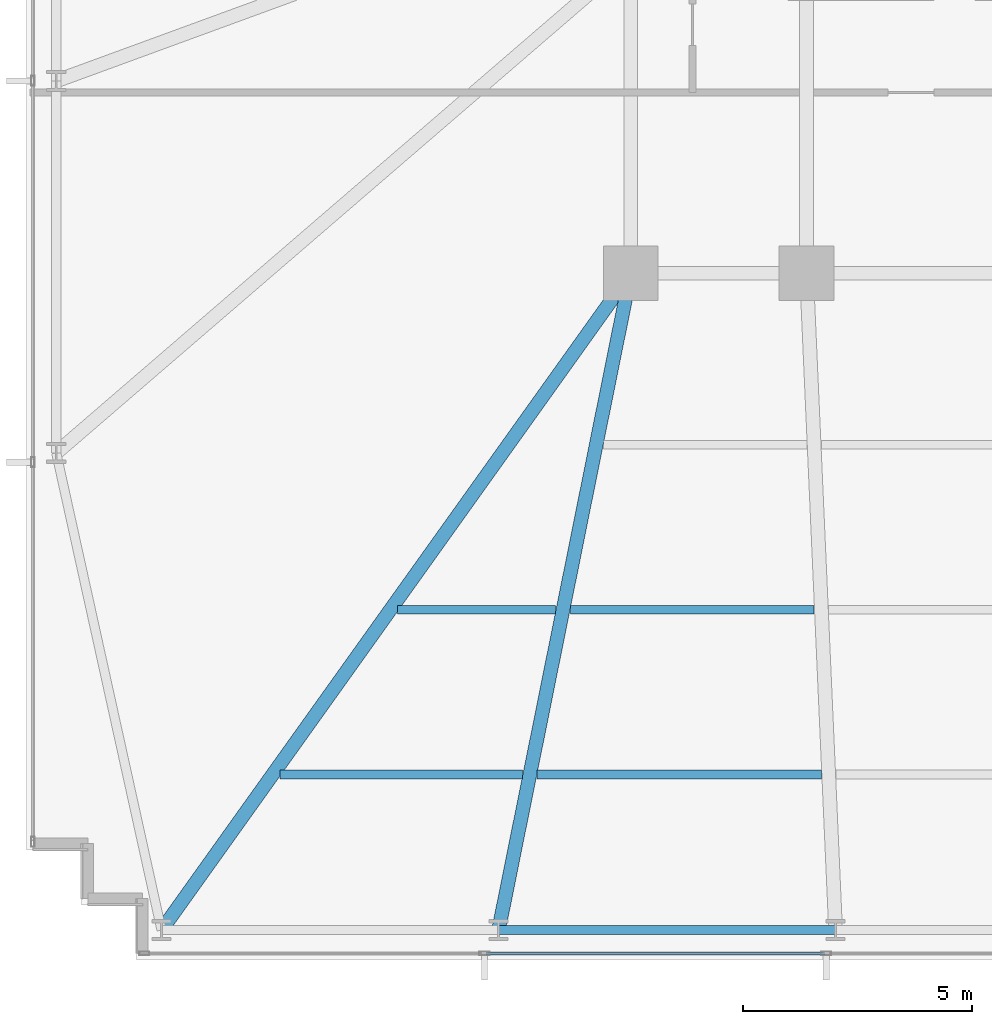
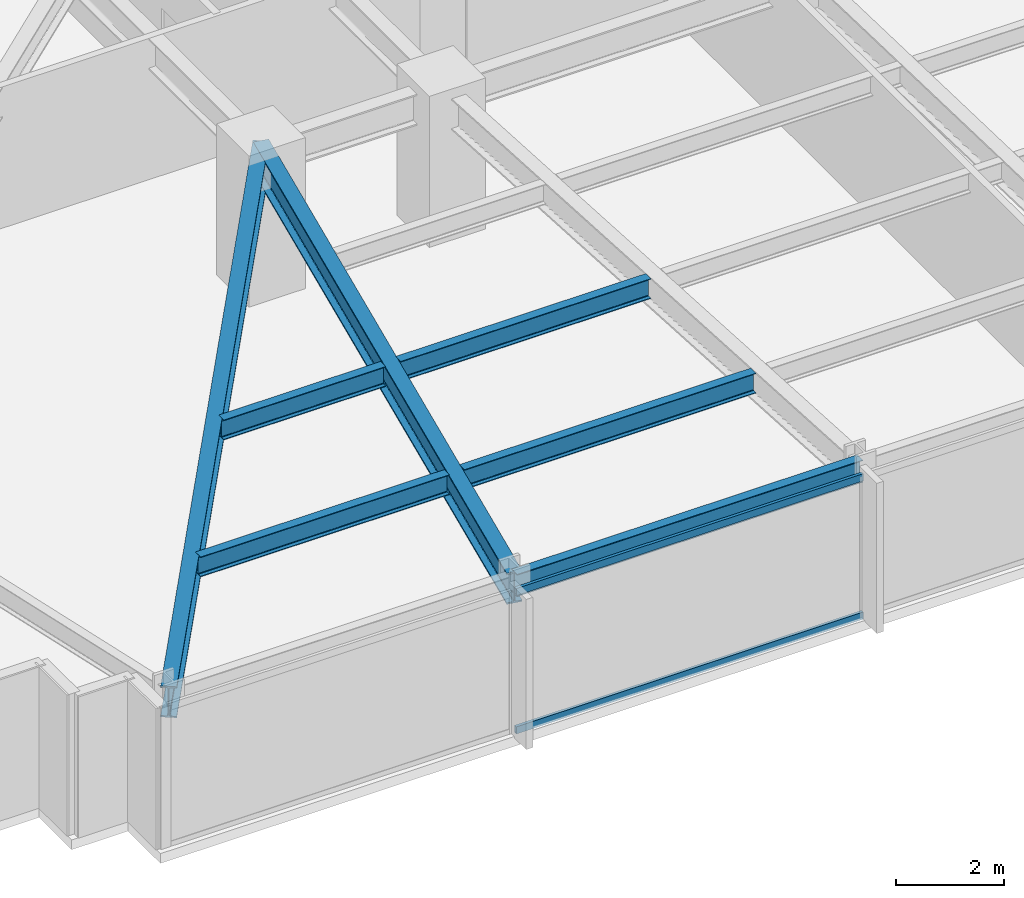
# One storey, part 3 of 32: 7 beams, 2 members, 1 element without a shape of its own.
"""IFC4 building model written with IfcOpenShell, lengths in metres."""

import ifcopenshell
import ifcopenshell.guid

model = None  # the IFC model being written
_history = None  # IfcOwnerHistory: only IFC2X3 demands one
_inside = {}  # id of a spatial element -> (the spatial element, [elements in it])
_under = {}  # id of a project, library or spatial element -> (it, [spatial elements below it])
_declared = {}  # id of a project -> (the project, [libraries it declares])
_typed = {}  # id of a type object -> (the type object, [elements of that type])
_made_of = {}  # id of a material, layer set ... -> (it, [elements and type objects made of it])


def new_model(schema):
    """Start an empty IFC model of exactly this schema.

    Asked for "IFC4X3", IfcOpenShell would pick the latest addendum, in which some entities
    have other attributes; the version numbers below select the first issue.
    IFC2X3 requires an IfcOwnerHistory on every rooted entity: one is made here for all.
    """
    global model, _history
    if schema == "IFC4X3":
        model = ifcopenshell.file(schema_version=(4, 3, 0, 0))
    else:
        model = ifcopenshell.file(schema=schema)
    _inside.clear()
    _under.clear()
    _declared.clear()
    _typed.clear()
    _made_of.clear()
    _history = None
    if model.schema == "IFC2X3":
        org = make("IfcOrganization", Name="unknown")
        user = make(
            "IfcPersonAndOrganization",
            ThePerson=make("IfcPerson", FamilyName="unknown"),
            TheOrganization=org,
        )
        app = make(
            "IfcApplication",
            ApplicationDeveloper=org,
            Version="unknown",
            ApplicationFullName="unknown",
            ApplicationIdentifier="unknown",
        )
        _history = make(
            "IfcOwnerHistory",
            OwningUser=user,
            OwningApplication=app,
            ChangeAction="ADDED",
            CreationDate=0,
        )
    return model


def make(cls, **values):
    """One entity of the class cls with the attributes given. An attribute that is None is left unset."""
    return model.create_entity(
        cls, **{name: value for name, value in values.items() if value is not None}
    )


def rooted(cls, **values):
    """An entity with a GlobalId (a new one), such as an element, a storey or a relation."""
    return make(cls, GlobalId=ifcopenshell.guid.new(), OwnerHistory=_history, **values)


def si_unit(unit_type, name, prefix=None):
    """IfcSIUnit, for example si_unit("LENGTHUNIT", "METRE", prefix="MILLI")."""
    return make("IfcSIUnit", UnitType=unit_type, Prefix=prefix, Name=name)


def assignment(units):
    """IfcUnitAssignment: the units of a project."""
    return None if units is None else make("IfcUnitAssignment", Units=units)


def point(xyz):
    """IfcCartesianPoint."""
    return None if xyz is None else make("IfcCartesianPoint", Coordinates=xyz)


def direction(xyz):
    """IfcDirection."""
    return None if xyz is None else make("IfcDirection", DirectionRatios=xyz)


def frame(location, z_axis=None, x_axis=None):
    """IfcAxis2Placement3D, a coordinate frame: its origin and axes. An axis left out is left unset."""
    return make(
        "IfcAxis2Placement3D",
        Location=point(location),
        Axis=direction(z_axis),
        RefDirection=direction(x_axis),
    )


def frame_2d(location, x_axis=None):
    """IfcAxis2Placement2D, a coordinate frame in the plane: its origin and x axis."""
    return make(
        "IfcAxis2Placement2D", Location=point(location), RefDirection=direction(x_axis)
    )


def origin():
    """The frame at (0, 0, 0) with its axes left unset."""
    return frame((0.0, 0.0, 0.0))


def origin_2d():
    """The frame at (0, 0) in the plane with its x axis left unset."""
    return frame_2d((0.0, 0.0))


def place(relative_to, where):
    """IfcLocalPlacement: puts the frame where relative to a parent placement (None: the world)."""
    return make(
        "IfcLocalPlacement", PlacementRelTo=relative_to, RelativePlacement=where
    )


def context(
    kind, dimensions, precision=None, world=None, true_north=None, identifier=None
):
    """IfcGeometricRepresentationContext, for example the 3D "Model" context."""
    return make(
        "IfcGeometricRepresentationContext",
        ContextIdentifier=identifier,
        ContextType=kind,
        CoordinateSpaceDimension=dimensions,
        Precision=precision,
        WorldCoordinateSystem=world,
        TrueNorth=true_north,
    )


def subcontext(parent, identifier, kind, view, scale=None):
    """IfcGeometricRepresentationSubContext, for example "Body" below "Model"."""
    return make(
        "IfcGeometricRepresentationSubContext",
        ContextIdentifier=identifier,
        ContextType=kind,
        ParentContext=parent,
        TargetScale=scale,
        TargetView=view,
    )


def project(units=None, contexts=None):
    """IfcProject with its units and contexts."""
    return rooted(
        "IfcProject",
        Name="project",
        RepresentationContexts=contexts,
        UnitsInContext=assignment(units),
    )


def spatial(cls, under=None, at=None, **own):
    """A site, building, storey or space (cls), placed at a placement, below another one or the project."""
    s = rooted(cls, ObjectPlacement=at, **own)
    if under is not None:
        _under.setdefault(under.id(), (under, []))[1].append(s)
    return s


def profile(cls, at=None, kind="AREA", **sizes):
    """A parametric profile (cls). Its sizes go by their IFC names, for example OverallWidth=200.0."""
    return make(cls, ProfileType=kind, Position=at, **sizes)


def hollow_rectangle(**sizes):
    """IfcRectangleHollowProfileDef."""
    return profile("IfcRectangleHollowProfileDef", **sizes)


def i_section(**sizes):
    """IfcIShapeProfileDef."""
    return profile("IfcIShapeProfileDef", **sizes)


def extrude(swept, where, along, depth):
    """IfcExtrudedAreaSolid: the profile swept, set in the frame where, extruded along a direction by depth."""
    return make(
        "IfcExtrudedAreaSolid",
        SweptArea=swept,
        Position=where,
        ExtrudedDirection=direction(along),
        Depth=depth,
    )


def shape(context_of_items, identifier, shape_type, items):
    """IfcShapeRepresentation: the items that make up one representation, for example the "Body"."""
    return make(
        "IfcShapeRepresentation",
        ContextOfItems=context_of_items,
        RepresentationIdentifier=identifier,
        RepresentationType=shape_type,
        Items=items,
    )


def material(Name=None, Category=None):
    """IfcMaterial."""
    return make("IfcMaterial", Name=Name, Category=Category)


def material_profile(
    of_material, cross_section, Name=None, Category=None, Priority=None
):
    """IfcMaterialProfile: a cross section and its material."""
    return make(
        "IfcMaterialProfile",
        Name=Name,
        Material=of_material,
        Profile=cross_section,
        Priority=Priority,
        Category=Category,
    )


def profile_set(profiles, Name=None, composite=None):
    """IfcMaterialProfileSet."""
    return make(
        "IfcMaterialProfileSet",
        Name=Name,
        MaterialProfiles=profiles,
        CompositeProfile=composite,
    )


def made_of(thing, what):
    """Note that an element or type object is made of a material, layer set ...; save() writes the relation."""
    if what is not None:
        _made_of.setdefault(what.id(), (what, []))[1].append(thing)
    return thing


def type_object(cls, material=None, **own):
    """A type object (cls), such as IfcWallType, which elements share."""
    return made_of(rooted(cls, **own), material)


def element(
    cls,
    number,
    at=None,
    inside=None,
    cuts=None,
    type_object=None,
    material=None,
    context=None,
    identifier="Body",
    shape_type=None,
    held_by="IfcProductDefinitionShape",
    body=None,
    shapes=None,
    **own,
):
    """One element of the class cls, such as IfcWall. Its Tag is "e" and its number.

    at: its placement. inside: the storey or other place that contains it. cuts: it is an
    opening in that element (IfcRelVoidsElement). A single representation is given by context,
    identifier, shape_type and body (its items); several are given by shapes. held_by: the class
    of the entity that holds the representations. save() writes the other relations.
    """
    e = rooted(cls, Tag="e%d" % number, ObjectPlacement=at, **own)
    if body is not None:
        shapes = [shape(context, identifier, shape_type, body)]
    if shapes is not None:
        e.Representation = make(held_by, Representations=shapes)
    if inside is not None:
        _inside.setdefault(inside.id(), (inside, []))[1].append(e)
    if cuts is not None:
        rooted(
            "IfcRelVoidsElement", RelatingBuildingElement=cuts, RelatedOpeningElement=e
        )
    if type_object is not None:
        _typed.setdefault(type_object.id(), (type_object, []))[1].append(e)
    return made_of(e, material)


def aggregate(whole, parts):
    """IfcRelAggregates: a whole, such as a stair, and the parts it consists of."""
    return rooted("IfcRelAggregates", RelatingObject=whole, RelatedObjects=parts)


def save(model, path):
    """Write the relations noted so far, then the file.

    IfcRelAggregates (storeys below a building ...), IfcRelContainedInSpatialStructure (elements
    in a storey), IfcRelDefinesByType, IfcRelAssociatesMaterial and IfcRelDeclares: one each for
    every whole, place, type object, material and project.
    """
    for whole, parts in _under.values():
        aggregate(whole, parts)
    for where, things in _inside.values():
        rooted(
            "IfcRelContainedInSpatialStructure",
            RelatedElements=things,
            RelatingStructure=where,
        )
    for kind, things in _typed.values():
        rooted("IfcRelDefinesByType", RelatedObjects=things, RelatingType=kind)
    for what, things in _made_of.values():
        rooted("IfcRelAssociatesMaterial", RelatedObjects=things, RelatingMaterial=what)
    for by, libraries in _declared.values():
        rooted("IfcRelDeclares", RelatingContext=by, RelatedDefinitions=libraries)
    model.write(path)


model = new_model("IFC4")

# Units and contexts
model_context = context("Model", 3, precision=1e-05, world=origin(), true_north=direction((0.0, 1.0)))
body_context = subcontext(model_context, "Body", "Model", "MODEL_VIEW")
ifc_project = project(units=[si_unit("LENGTHUNIT", "METRE"), si_unit("AREAUNIT", "SQUARE_METRE"), si_unit("VOLUMEUNIT", "CUBIC_METRE"), si_unit("PLANEANGLEUNIT", "RADIAN"), si_unit("MASSUNIT", "GRAM", prefix="KILO")], contexts=[model_context])

# Site, building, storey
site_placement = place(None, origin())
site = spatial("IfcSite", under=ifc_project, at=site_placement, CompositionType="ELEMENT")
building_placement = place(site_placement, origin())
building = spatial("IfcBuilding", under=site, at=building_placement, Name="Yelkora Congress Tower", CompositionType="ELEMENT")
storey_placement = place(building_placement, frame((0.0, 0.0, 67.800048828125)))
storey = spatial("IfcBuildingStorey", under=building, at=storey_placement, Name="L17", CompositionType="ELEMENT", Elevation=67.800048828125)

# Beams
ifc_material_1 = material(Name="Steel S355J2", Category="steel")
ifc_material_profile_1 = material_profile(ifc_material_1, i_section(OverallWidth=0.300048828125, OverallDepth=0.699951171875, WebThickness=0.01708984375, FlangeThickness=0.031982421875, FilletRadius=0.027099609375, at=origin_2d()), Name="HEB 700")
ifc_profile_set_1 = profile_set([ifc_material_profile_1], Name="Steel S355J2")
beam_type_1 = type_object("IfcBeamType", Name="BM-GIRD-HEB700", PredefinedType="BEAM", material=ifc_profile_set_1)
beam_1_placement = place(storey_placement, frame((8.949951171875, 10.85009765625, 2.829833984375), z_axis=(0.581242122521, 0.813730664906, 0.0), x_axis=(-0.813730664906, 0.581242122521, 0.0)))
element("IfcBeam", 1, at=beam_1_placement, inside=storey, type_object=beam_type_1, Name="L17 Primary Frame Girder S01", PredefinedType="BEAM", context=body_context, shape_type="SweptSolid", body=[
    extrude(i_section(OverallWidth=0.300048828125, OverallDepth=0.699951171875, WebThickness=0.01708984375, FlangeThickness=0.031982421875, FilletRadius=0.027099609375, at=origin_2d()), origin(), (0.0, 0.0, 1.0), 17.634765625),
])
beam_2_placement = place(storey_placement, frame((16.3125, 10.85009765625, 2.829833984375), z_axis=(0.197264295931, 0.980350344291, 0.0), x_axis=(-0.980350344291, 0.197264295931, 0.0)))
element("IfcBeam", 2, at=beam_2_placement, inside=storey, type_object=beam_type_1, Name="L17 Primary Frame Girder S02", PredefinedType="BEAM", context=body_context, shape_type="SweptSolid", body=[
    extrude(i_section(OverallWidth=0.300048828125, OverallDepth=0.699951171875, WebThickness=0.01708984375, FlangeThickness=0.031982421875, FilletRadius=0.027099609375, at=origin_2d()), origin(), (0.0, 0.0, 1.0), 14.637451171875),
])
ifc_material_profile_2 = material_profile(ifc_material_1, i_section(OverallWidth=0.18994140625, OverallDepth=0.449951171875, WebThickness=0.009521484375, FlangeThickness=0.0146484375, FilletRadius=0.02099609375, at=origin_2d()), Name="IPE 450")
ifc_profile_set_2 = profile_set([ifc_material_profile_2], Name="Steel S355J2")
beam_type_2 = type_object("IfcBeamType", Name="BM-JOIST-IPE450", PredefinedType="JOIST", material=ifc_profile_set_2)
beam_3_placement = place(storey_placement, frame((11.53857421875, 14.25, 2.954833984375), z_axis=(1.0, 0.0, 0.0), x_axis=(0.0, 1.0, 0.0)))
element("IfcBeam", 3, at=beam_3_placement, inside=storey, type_object=beam_type_2, Name="L17 Composite Floor Joist 1", PredefinedType="JOIST", context=body_context, shape_type="SweptSolid", body=[
    extrude(i_section(OverallWidth=0.18994140625, OverallDepth=0.449951171875, WebThickness=0.009521484375, FlangeThickness=0.0146484375, FilletRadius=0.02099609375, at=origin_2d()), origin(), (0.0, 0.0, 1.0), 5.298095703125),
])
beam_4_placement = place(storey_placement, frame((17.156494140625, 14.25, 2.954833984375), z_axis=(1.0, 0.0, 0.0), x_axis=(0.0, 1.0, 0.0)))
element("IfcBeam", 4, at=beam_4_placement, inside=storey, type_object=beam_type_2, Name="L17 Composite Floor Joist 2", PredefinedType="JOIST", context=body_context, shape_type="SweptSolid", body=[
    extrude(i_section(OverallWidth=0.18994140625, OverallDepth=0.449951171875, WebThickness=0.009521484375, FlangeThickness=0.0146484375, FilletRadius=0.02099609375, at=origin_2d()), origin(), (0.0, 0.0, 1.0), 6.2080078125),
])
beam_5_placement = place(storey_placement, frame((14.110107421875, 17.85009765625, 2.954833984375), z_axis=(1.0, 0.0, 0.0), x_axis=(0.0, 1.0, 0.0)))
element("IfcBeam", 5, at=beam_5_placement, inside=storey, type_object=beam_type_2, Name="L17 Composite Floor Joist 9", PredefinedType="JOIST", context=body_context, shape_type="SweptSolid", body=[
    extrude(i_section(OverallWidth=0.18994140625, OverallDepth=0.449951171875, WebThickness=0.009521484375, FlangeThickness=0.0146484375, FilletRadius=0.02099609375, at=origin_2d()), origin(), (0.0, 0.0, 1.0), 3.450927734375),
])
beam_6_placement = place(storey_placement, frame((17.881103515625, 17.85009765625, 2.954833984375), z_axis=(1.0, 0.0, 0.0), x_axis=(0.0, 1.0, 0.0)))
element("IfcBeam", 6, at=beam_6_placement, inside=storey, type_object=beam_type_2, Name="L17 Composite Floor Joist 10", PredefinedType="JOIST", context=body_context, shape_type="SweptSolid", body=[
    extrude(i_section(OverallWidth=0.18994140625, OverallDepth=0.449951171875, WebThickness=0.009521484375, FlangeThickness=0.0146484375, FilletRadius=0.02099609375, at=origin_2d()), origin(), (0.0, 0.0, 1.0), 5.323974609375),
])
ifc_material_profile_3 = material_profile(ifc_material_1, i_section(OverallWidth=0.199951171875, OverallDepth=0.5, WebThickness=0.01025390625, FlangeThickness=0.01611328125, FilletRadius=0.02099609375, at=origin_2d()), Name="IPE 500")
ifc_profile_set_3 = profile_set([ifc_material_profile_3], Name="Steel S355J2")
beam_type_3 = type_object("IfcBeamType", Name="BM-SPAN-IPE500", PredefinedType="SPANDREL", material=ifc_profile_set_3)
beam_7_placement = place(storey_placement, frame((16.3125, 10.85009765625, 2.929931640625), z_axis=(1.0, 0.0, 0.0), x_axis=(0.0, 1.0, 0.0)))
element("IfcBeam", 7, at=beam_7_placement, inside=storey, type_object=beam_type_3, Name="L17 Perimeter Beam 3", PredefinedType="SPANDREL", context=body_context, shape_type="SweptSolid", body=[
    extrude(i_section(OverallWidth=0.199951171875, OverallDepth=0.5, WebThickness=0.01025390625, FlangeThickness=0.01611328125, FilletRadius=0.02099609375, at=origin_2d()), origin(), (0.0, 0.0, 1.0), 7.362548828125),
])

# Curtain wall, members
ifc_material_2 = material(Name="Anodised aluminium and insulated glass", Category="aluminium")
curtain_wall_type = type_object("IfcCurtainWallType", Name="CW-SYS-B1", PredefinedType="NOTDEFINED", material=ifc_material_2)
curtain_wall_placement = place(storey_placement, origin())
curtain_wall = element("IfcCurtainWall", 8, at=curtain_wall_placement, inside=storey, type_object=curtain_wall_type, Name="L17 Unitised Curtain Wall 20", PredefinedType="NOTDEFINED")
ifc_material_3 = material(Name="Anodised aluminium 6063-T6", Category="aluminium")
ifc_material_profile_4 = material_profile(ifc_material_3, hollow_rectangle(XDim=0.06494140625, YDim=0.159912109375, WallThickness=0.00390625, at=origin_2d()), Name="ALU 65x160x4")
ifc_profile_set_4 = profile_set([ifc_material_profile_4], Name="Anodised aluminium 6063-T6")
member_type = type_object("IfcMemberType", Name="MEM-TR-B1", PredefinedType="USERDEFINED", material=ifc_profile_set_4)
member_1_placement = place(storey_placement, frame((23.4326171875, 10.340087890625, 0.032470703125), z_axis=(-1.0, 0.0, 0.0), x_axis=(0.0, -1.0, 0.0)))
member_1 = element("IfcMember", 9, at=member_1_placement, type_object=member_type, Name="CW-B1 transom 7.1", ObjectType="TRANSOM", PredefinedType="USERDEFINED", context=body_context, shape_type="SweptSolid", body=[
    extrude(hollow_rectangle(XDim=0.06494140625, YDim=0.159912109375, WallThickness=0.00390625, at=origin_2d()), origin(), (0.0, 0.0, 1.0), 7.39013671875),
])
member_2_placement = place(storey_placement, frame((23.4326171875, 10.340087890625, 3.1474609375), z_axis=(-1.0, 0.0, 0.0), x_axis=(0.0, -1.0, 0.0)))
member_2 = element("IfcMember", 10, at=member_2_placement, type_object=member_type, Name="CW-B1 transom 7.2", ObjectType="TRANSOM", PredefinedType="USERDEFINED", context=body_context, shape_type="SweptSolid", body=[
    extrude(hollow_rectangle(XDim=0.06494140625, YDim=0.159912109375, WallThickness=0.00390625, at=origin_2d()), origin(), (0.0, 0.0, 1.0), 7.39013671875),
])
aggregate(curtain_wall, [member_1, member_2])

save(model, "model.ifc")
